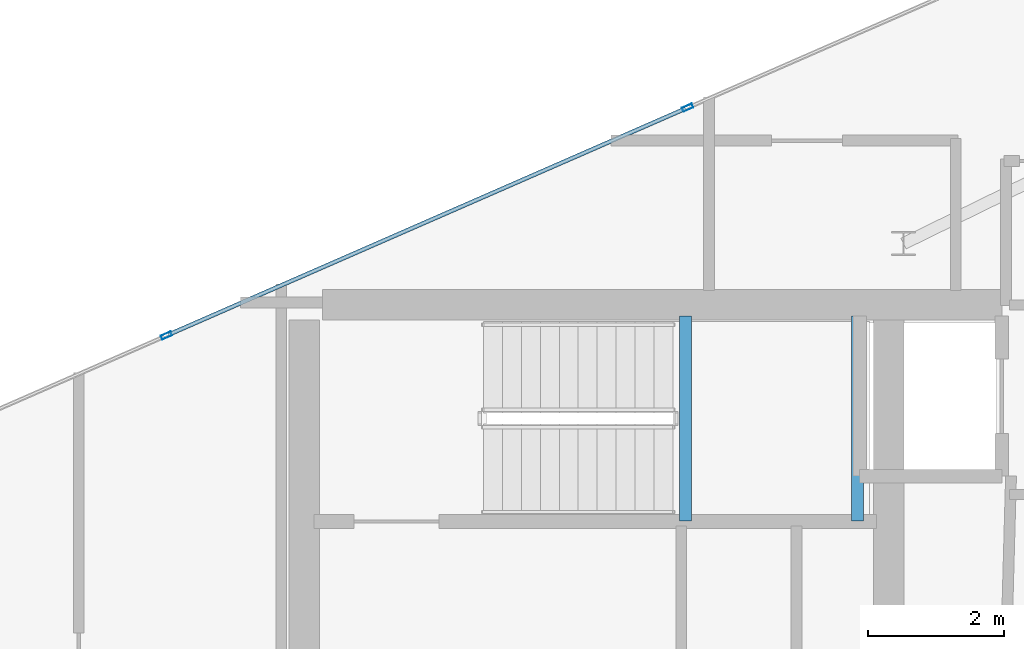
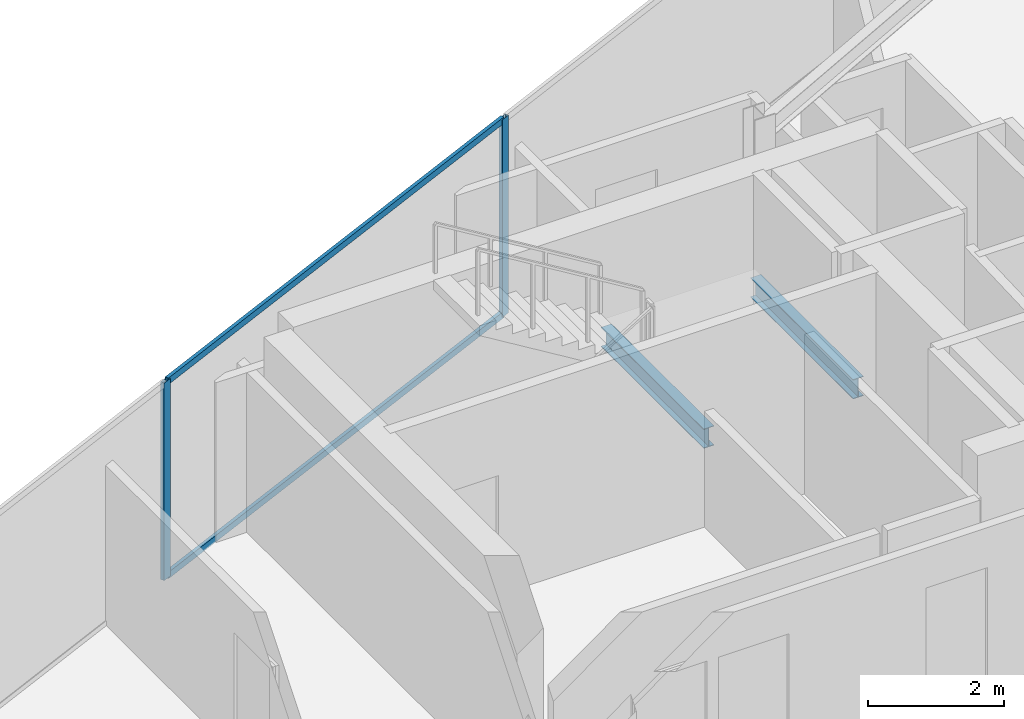
# One storey, part 7 of 14: 4 members, 2 beams, 1 element without a shape of its own.
"""IFC4 building model written with IfcOpenShell, lengths in metres."""

from ifc_helpers import new_model, si_unit, direction, frame, origin, origin_2d, place, context, subcontext, project, spatial, hollow_rectangle, i_section, extrude, material, layer, layer_set, material_profile, profile_set, type_object, element, aggregate, save


model = new_model("IFC4")

# Units and contexts
model_context = context("Model", 3, precision=1e-05, world=origin(), true_north=direction((0.0, 1.0)))
body_context = subcontext(model_context, "Body", "Model", "MODEL_VIEW")
ifc_project = project(units=[si_unit("LENGTHUNIT", "METRE"), si_unit("AREAUNIT", "SQUARE_METRE"), si_unit("VOLUMEUNIT", "CUBIC_METRE"), si_unit("PLANEANGLEUNIT", "RADIAN"), si_unit("MASSUNIT", "GRAM", prefix="KILO")], contexts=[model_context])

# Site, building, storey
site_placement = place(None, origin())
site = spatial("IfcSite", under=ifc_project, at=site_placement, CompositionType="ELEMENT")
building_placement = place(site_placement, origin())
building = spatial("IfcBuilding", under=site, at=building_placement, Name="Qianvela Tower", CompositionType="ELEMENT")
storey_placement = place(building_placement, frame((0.0, 0.0, 363.800048828125)))
storey = spatial("IfcBuildingStorey", under=building, at=storey_placement, Name="L94", CompositionType="ELEMENT", Elevation=363.800048828125)

# Beams
ifc_material_1 = material(Name="Steel Q355B", Category="steel")
ifc_material_profile_1 = material_profile(ifc_material_1, i_section(OverallWidth=0.175048828125, OverallDepth=0.35009765625, WebThickness=0.007080078125, FlangeThickness=0.010986328125, at=origin_2d()), Name="HN350x175x7x11")
ifc_profile_set_1 = profile_set([ifc_material_profile_1], Name="Steel Q355B")
beam_type = type_object("IfcBeamType", Name="BM-HN350-JOIST", PredefinedType="JOIST", material=ifc_profile_set_1)
for number, where, z_axis, x_axis, name in (
    (1, (35.179931640625, 29.4599609375, 1.5), (0.0, 1.0, 0.0), (-1.0, 0.0, 0.0), "L94 Stair ST-1 Landing Support Beam 1.1"),
    (2, (37.719970703125, 29.4599609375, 1.5), (0.0, 1.0, 0.0), (-1.0, 0.0, 0.0), "L94 Stair ST-1 Landing Support Beam 1.2"),
):
    element("IfcBeam", number, at=place(storey_placement, frame(where, z_axis=z_axis, x_axis=x_axis)), inside=storey, type_object=beam_type, Name=name, PredefinedType="JOIST", context=body_context, shape_type="SweptSolid", body=[
        extrude(i_section(OverallWidth=0.175048828125, OverallDepth=0.35009765625, WebThickness=0.007080078125, FlangeThickness=0.010986328125, at=origin_2d()), origin(), (0.0, 0.0, 1.0), 3.02001953125),
    ])

# Curtain wall, members
ifc_material_2 = material(Name="Anodised Architectural Aluminium and Low-E Glass", Category="aluminium")
ifc_layer = layer(ifc_material_2, 0.159912109375)
ifc_layer_set = layer_set([ifc_layer], Name="Anodised Architectural Aluminium and Low-E Glass")
curtain_wall_type = type_object("IfcCurtainWallType", Name="CW-CROWN", PredefinedType="USERDEFINED", material=ifc_layer_set)
curtain_wall_placement = place(storey_placement, origin())
curtain_wall = element("IfcCurtainWall", 3, at=curtain_wall_placement, inside=storey, type_object=curtain_wall_type, Name="L94 CW-CROWN Curtain Wall 02", ObjectType="CURTAIN_WALL_SYSTEM", PredefinedType="USERDEFINED")
ifc_material_3 = material(Name="Anodised Architectural Aluminium 6063-T6", Category="aluminium")
ifc_material_profile_2 = material_profile(ifc_material_3, hollow_rectangle(XDim=0.06494140625, YDim=0.159912109375, WallThickness=0.0048828125, at=origin_2d()), Name="ALU-MULL-65x160")
ifc_profile_set_2 = profile_set([ifc_material_profile_2], Name="Anodised Architectural Aluminium 6063-T6")
member_type_1 = type_object("IfcMemberType", Name="CW-CROWN-MULL", PredefinedType="MULLION", material=ifc_profile_set_2)
member_1_placement = place(storey_placement, frame((35.21337890625, 35.555419921875, 0.0), z_axis=(0.0, 0.0, 1.0), x_axis=(0.400641604118, -0.916234852562, 0.0)))
member_1 = element("IfcMember", 4, at=member_1_placement, type_object=member_type_1, Name="CW-8 mullion 3", PredefinedType="MULLION", context=body_context, shape_type="SweptSolid", body=[
    extrude(hollow_rectangle(XDim=0.06494140625, YDim=0.159912109375, WallThickness=0.0048828125, at=origin_2d()), origin(), (0.0, 0.0, 1.0), 3.550048828125),
])
member_2_placement = place(storey_placement, frame((27.5244140625, 32.193359375, 0.0), z_axis=(0.0, 0.0, 1.0), x_axis=(0.400641604118, -0.916234852562, 0.0)))
member_2 = element("IfcMember", 5, at=member_2_placement, type_object=member_type_1, Name="CW-8 mullion 4", PredefinedType="MULLION", context=body_context, shape_type="SweptSolid", body=[
    extrude(hollow_rectangle(XDim=0.06494140625, YDim=0.159912109375, WallThickness=0.0048828125, at=origin_2d()), origin(), (0.0, 0.0, 1.0), 3.550048828125),
])
ifc_material_4 = material(Name="Anodised Architectural Aluminium 6063-T6", Category="aluminium")
ifc_material_profile_3 = material_profile(ifc_material_4, hollow_rectangle(XDim=0.06005859375, YDim=0.114990234375, WallThickness=0.00390625, at=origin_2d()), Name="ALU-TRAN-60x115")
ifc_profile_set_3 = profile_set([ifc_material_profile_3], Name="Anodised Architectural Aluminium 6063-T6")
member_type_2 = type_object("IfcMemberType", Name="CW-CROWN-TRAN", PredefinedType="USERDEFINED", material=ifc_profile_set_3)
member_3_placement = place(storey_placement, frame((35.18359375, 35.54248046875, 0.030029296875), z_axis=(-0.916231338756, -0.400649639811, 0.0), x_axis=(0.400649639811, -0.916231338756, 0.0)))
member_3 = element("IfcMember", 6, at=member_3_placement, type_object=member_type_2, Name="CW-8 transom 3.1", ObjectType="TRANSOM", PredefinedType="USERDEFINED", context=body_context, shape_type="SweptSolid", body=[
    extrude(hollow_rectangle(XDim=0.06005859375, YDim=0.114990234375, WallThickness=0.00390625, at=origin_2d()), origin(), (0.0, 0.0, 1.0), 8.326904296875),
])
member_4_placement = place(storey_placement, frame((35.18359375, 35.54248046875, 3.52001953125), z_axis=(-0.916231338756, -0.400649639811, 0.0), x_axis=(0.400649639811, -0.916231338756, 0.0)))
member_4 = element("IfcMember", 7, at=member_4_placement, type_object=member_type_2, Name="CW-8 transom 3.2", ObjectType="TRANSOM", PredefinedType="USERDEFINED", context=body_context, shape_type="SweptSolid", body=[
    extrude(hollow_rectangle(XDim=0.06005859375, YDim=0.114990234375, WallThickness=0.00390625, at=origin_2d()), origin(), (0.0, 0.0, 1.0), 8.326904296875),
])
aggregate(curtain_wall, [member_1, member_2, member_3, member_4])

save(model, "model.ifc")
